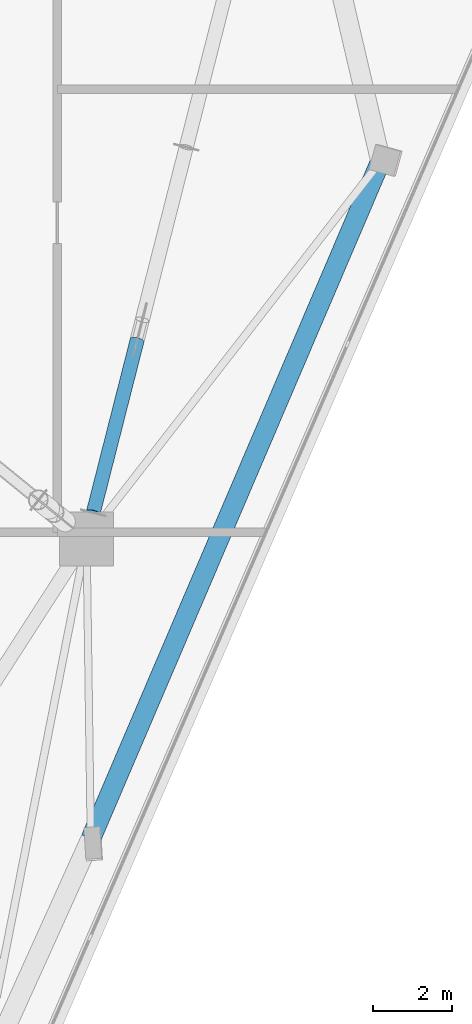
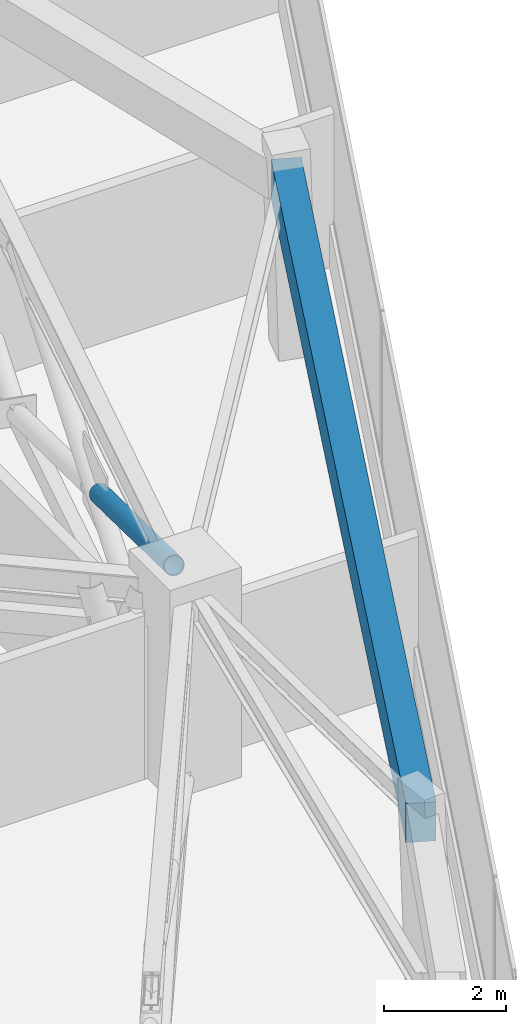
# One storey, part 4 of 12: 1 beam, 1 member.
"""IFC4 building model written with IfcOpenShell, lengths in metres."""

from ifc_helpers import new_model, si_unit, direction, frame, origin, origin_2d, place, context, subcontext, project, spatial, rectangle, hollow_circle, extrude, material, material_profile, profile_set, type_object, element, save


model = new_model("IFC4")

# Units and contexts
model_context = context("Model", 3, precision=1e-05, world=origin(), true_north=direction((0.0, 1.0)))
body_context = subcontext(model_context, "Body", "Model", "MODEL_VIEW")
ifc_project = project(units=[si_unit("LENGTHUNIT", "METRE"), si_unit("AREAUNIT", "SQUARE_METRE"), si_unit("VOLUMEUNIT", "CUBIC_METRE"), si_unit("PLANEANGLEUNIT", "RADIAN"), si_unit("MASSUNIT", "GRAM", prefix="KILO")], contexts=[model_context])

# Site, building, storey
site_placement = place(None, origin())
site = spatial("IfcSite", under=ifc_project, at=site_placement, CompositionType="ELEMENT")
building_placement = place(site_placement, origin())
building = spatial("IfcBuilding", under=site, at=building_placement, Name="Talyreon Biosciences Tower", CompositionType="ELEMENT")
storey_placement = place(building_placement, frame((0.0, 0.0, 223.199951171875)))
storey = spatial("IfcBuildingStorey", under=building, at=storey_placement, Name="L59", CompositionType="ELEMENT", Elevation=223.199951171875)

# Member
ifc_material_1 = material(Name="Steel SM355", Category="steel")
ifc_material_profile_1 = material_profile(ifc_material_1, hollow_circle(Radius=0.177734375, WallThickness=0.01416015625, at=origin_2d()), Name="CHS 355.6x14.2")
ifc_profile_set_1 = profile_set([ifc_material_profile_1], Name="Steel SM355")
member_type = type_object("IfcMemberType", Name="BeltBrace_CHS355", PredefinedType="BRACE", material=ifc_profile_set_1)
member_placement = place(storey_placement, frame((78.359619140625, 63.885986328125, 2.013427734375), z_axis=(-0.232390170682, -0.913533774404, 0.333842555097), x_axis=(0.969134113213, -0.246534116519, 0.0)))
element("IfcMember", 1, at=member_placement, inside=storey, type_object=member_type, Name="L59 Split Diagonal BELT-L59-B2S1B-Upper", PredefinedType="BRACE", context=body_context, shape_type="SweptSolid", body=[
    extrude(hollow_circle(Radius=0.177734375, WallThickness=0.01416015625, at=origin_2d()), origin(), (0.0, 0.0, 1.0), 4.752685546875),
])

# Beam
ifc_material_2 = material(Name="Precast concrete C45/55", Category="concrete")
ifc_material_profile_2 = material_profile(ifc_material_2, rectangle(XDim=0.5, YDim=0.780029296875, at=origin_2d()), Name="RCB 500x780")
ifc_profile_set_2 = profile_set([ifc_material_profile_2], Name="Precast concrete C45/55")
beam_type = type_object("IfcBeamType", Name="ExpressedSpandrel_500x780", PredefinedType="SPANDREL", material=ifc_profile_set_2)
beam_placement = place(storey_placement, frame((77.192138671875, 51.334716796875, 3.4599609375), z_axis=(0.393161519244, 0.919469422975, 0.0), x_axis=(-0.919469422975, 0.393161519244, 0.0)))
element("IfcBeam", 2, at=beam_placement, inside=storey, type_object=beam_type, Name="L59 Expressed Horizontal Concrete Spandrel 03", PredefinedType="SPANDREL", context=body_context, shape_type="SweptSolid", body=[
    extrude(rectangle(XDim=0.5, YDim=0.780029296875, at=origin_2d()), origin(), (0.0, 0.0, 1.0), 18.55078125),
])

save(model, "model.ifc")
